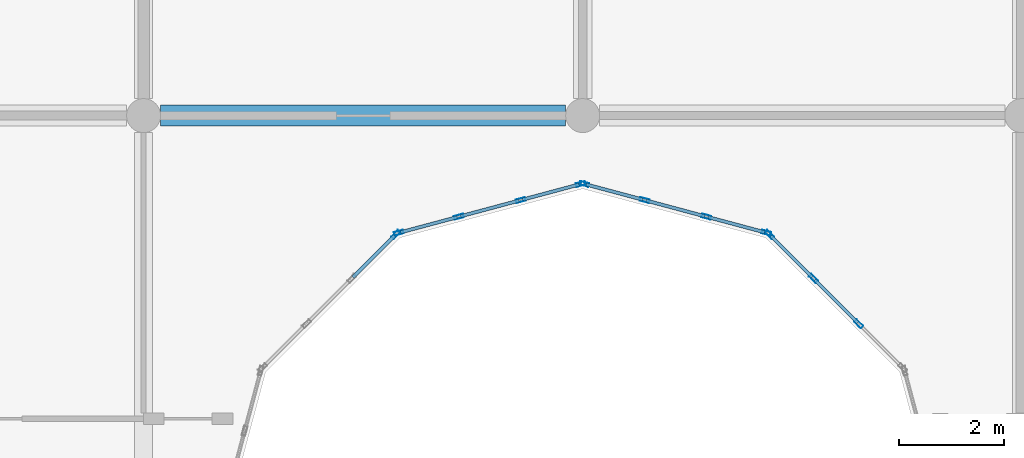
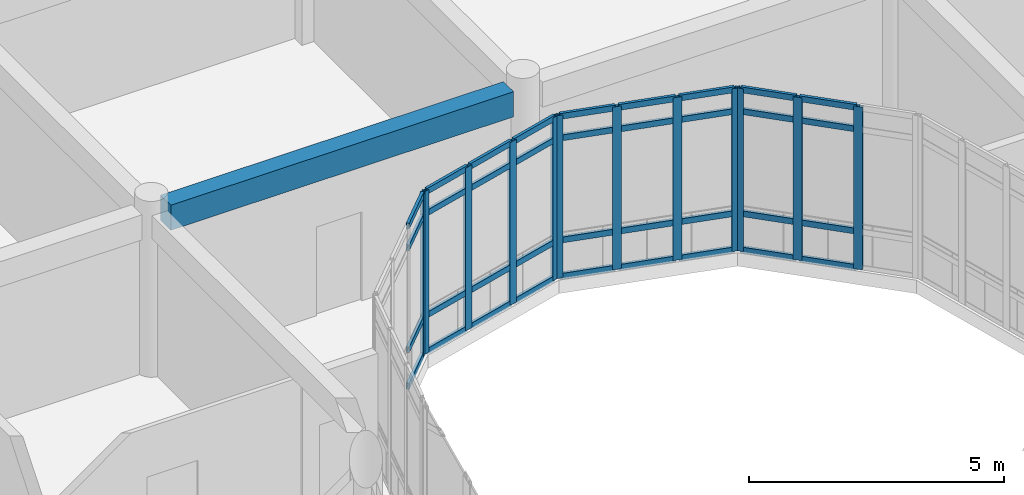
# One storey, part 35 of 119: 48 members, 1 beam, 4 elements without a shape of their own.
"""IFC4 building model written with IfcOpenShell, lengths in metres."""

from ifc_helpers import new_model, si_unit, direction, frame, origin, origin_2d, place, context, subcontext, project, spatial, rectangle, hollow_rectangle, extrude, material, layer, layer_set, material_profile, profile_set, type_object, element, aggregate, save


model = new_model("IFC4")

# Units and contexts
model_context = context("Model", 3, precision=1e-05, world=origin(), true_north=direction((0.0, 1.0)))
body_context = subcontext(model_context, "Body", "Model", "MODEL_VIEW")
ifc_project = project(units=[si_unit("LENGTHUNIT", "METRE"), si_unit("AREAUNIT", "SQUARE_METRE"), si_unit("VOLUMEUNIT", "CUBIC_METRE"), si_unit("PLANEANGLEUNIT", "RADIAN"), si_unit("MASSUNIT", "GRAM", prefix="KILO")], contexts=[model_context])

# Site, building, storey
site_placement = place(None, origin())
site = spatial("IfcSite", under=ifc_project, at=site_placement, CompositionType="ELEMENT")
building_placement = place(site_placement, origin())
building = spatial("IfcBuilding", under=site, at=building_placement, Name="Bramfleet General Hospital", CompositionType="ELEMENT")
storey_placement = place(building_placement, frame((0.0, 0.0, 14.39990234375)))
storey = spatial("IfcBuildingStorey", under=building, at=storey_placement, Name="L03", CompositionType="ELEMENT", Elevation=14.39990234375)

# Beam
ifc_material_1 = material(Name="Concrete C35/45", Category="concrete")
ifc_material_profile_1 = material_profile(ifc_material_1, rectangle(XDim=0.39990234375, YDim=0.60009765625, at=origin_2d()), Name="RC BM 600x400")
ifc_profile_set_1 = profile_set([ifc_material_profile_1], Name="Concrete C35/45")
beam_type = type_object("IfcBeamType", Name="BM-RC600", PredefinedType="BEAM", material=ifc_profile_set_1)
beam_placement = place(storey_placement, frame((75.925048828125, 84.0, 3.590087890625), z_axis=(1.0, 0.0, 0.0), x_axis=(0.0, 1.0, 0.0)))
element("IfcBeam", 1, at=beam_placement, inside=storey, type_object=beam_type, Name="L03 Grid Beam X 09-10", PredefinedType="BEAM", context=body_context, shape_type="SweptSolid", body=[
    extrude(rectangle(XDim=0.39990234375, YDim=0.60009765625, at=origin_2d()), origin(), (0.0, 0.0, 1.0), 7.75),
])

# Curtain wall, members
ifc_material_2 = material(Name="Anodised aluminium and low-E triple glazing", Category="aluminium")
ifc_layer_1 = layer(ifc_material_2, 0.179931640625, Name="CWT-CW-12")
ifc_layer_set_1 = layer_set([ifc_layer_1], Name="Anodised aluminium and low-E triple glazing")
curtain_wall_type_1 = type_object("IfcCurtainWallType", Name="CWT-CW-12", PredefinedType="USERDEFINED", material=ifc_layer_set_1)
curtain_wall_1_placement = place(storey_placement, origin())
curtain_wall_1 = element("IfcCurtainWall", 2, at=curtain_wall_1_placement, inside=storey, type_object=curtain_wall_type_1, Name="L03 Central Diagnostic Light Court Curtain Wall 8.1", ObjectType="Stick curtain wall", PredefinedType="USERDEFINED")
ifc_material_3 = material(Name="Anodised aluminium EN AW-6060", Category="aluminium")
ifc_material_profile_2 = material_profile(ifc_material_3, hollow_rectangle(XDim=0.070068359375, YDim=0.179931640625, WallThickness=0.00390625, at=origin_2d()), Name="ALU 180x70x4.0")
ifc_profile_set_2 = profile_set([ifc_material_profile_2], Name="Anodised aluminium EN AW-6060")
member_type_1 = type_object("IfcMemberType", Name="CWM-ALU180", PredefinedType="MULLION", material=ifc_profile_set_2)
member_1_placement = place(storey_placement, frame((89.28271484375, 80.016357421875, 0.0), z_axis=(0.0, 0.0, 1.0), x_axis=(-0.707106781187, -0.707106781187, 0.0)))
member_1 = element("IfcMember", 3, at=member_1_placement, type_object=member_type_1, Name="CW-12 mullion 2", PredefinedType="MULLION", context=body_context, shape_type="SweptSolid", body=[
    extrude(hollow_rectangle(XDim=0.070068359375, YDim=0.179931640625, WallThickness=0.00390625, at=origin_2d()), origin(), (0.0, 0.0, 1.0), 3.89013671875),
])
member_2_placement = place(storey_placement, frame((88.416259765625, 80.882568359375, 0.0), z_axis=(0.0, 0.0, 1.0), x_axis=(-0.707106781187, -0.707106781187, 0.0)))
member_2 = element("IfcMember", 4, at=member_2_placement, type_object=member_type_1, Name="CW-12 mullion 3", PredefinedType="MULLION", context=body_context, shape_type="SweptSolid", body=[
    extrude(hollow_rectangle(XDim=0.070068359375, YDim=0.179931640625, WallThickness=0.00390625, at=origin_2d()), origin(), (0.0, 0.0, 1.0), 3.89013671875),
])
member_3_placement = place(storey_placement, frame((87.57470703125, 81.724365234375, 0.0), z_axis=(0.0, 0.0, 1.0), x_axis=(-0.707106781187, -0.707106781187, 0.0)))
member_3 = element("IfcMember", 5, at=member_3_placement, type_object=member_type_1, Name="CW-12 mullion 4", PredefinedType="MULLION", context=body_context, shape_type="SweptSolid", body=[
    extrude(hollow_rectangle(XDim=0.070068359375, YDim=0.179931640625, WallThickness=0.00390625, at=origin_2d()), origin(), (0.0, 0.0, 1.0), 3.89013671875),
])

ifc_layer_2 = layer(ifc_material_2, 0.179931640625, Name="CWT-CW-13")
ifc_layer_set_2 = layer_set([ifc_layer_2], Name="Anodised aluminium and low-E triple glazing")
curtain_wall_type_2 = type_object("IfcCurtainWallType", Name="CWT-CW-13", PredefinedType="USERDEFINED", material=ifc_layer_set_2)
curtain_wall_2_placement = place(storey_placement, origin())
curtain_wall_2 = element("IfcCurtainWall", 6, at=curtain_wall_2_placement, inside=storey, type_object=curtain_wall_type_2, Name="L03 Central Diagnostic Light Court Curtain Wall 9.1", ObjectType="Stick curtain wall", PredefinedType="USERDEFINED")
member_4_placement = place(storey_placement, frame((87.51611328125, 81.758056640625, 0.0), z_axis=(0.0, 0.0, 1.0), x_axis=(-0.258763286618, -0.965940765005, 0.0)))
member_4 = element("IfcMember", 7, at=member_4_placement, type_object=member_type_1, Name="CW-13 mullion 1", PredefinedType="MULLION", context=body_context, shape_type="SweptSolid", body=[
    extrude(hollow_rectangle(XDim=0.070068359375, YDim=0.179931640625, WallThickness=0.00390625, at=origin_2d()), origin(), (0.0, 0.0, 1.0), 3.89013671875),
])
member_5_placement = place(storey_placement, frame((86.36669921875, 82.06591796875, 0.0), z_axis=(0.0, 0.0, 1.0), x_axis=(-0.258763286618, -0.965940765005, 0.0)))
member_5 = element("IfcMember", 8, at=member_5_placement, type_object=member_type_1, Name="CW-13 mullion 2", PredefinedType="MULLION", context=body_context, shape_type="SweptSolid", body=[
    extrude(hollow_rectangle(XDim=0.070068359375, YDim=0.179931640625, WallThickness=0.00390625, at=origin_2d()), origin(), (0.0, 0.0, 1.0), 3.89013671875),
])
member_6_placement = place(storey_placement, frame((85.183349609375, 82.383056640625, 0.0), z_axis=(0.0, 0.0, 1.0), x_axis=(-0.258763286618, -0.965940765005, 0.0)))
member_6 = element("IfcMember", 9, at=member_6_placement, type_object=member_type_1, Name="CW-13 mullion 3", PredefinedType="MULLION", context=body_context, shape_type="SweptSolid", body=[
    extrude(hollow_rectangle(XDim=0.070068359375, YDim=0.179931640625, WallThickness=0.00390625, at=origin_2d()), origin(), (0.0, 0.0, 1.0), 3.89013671875),
])
member_7_placement = place(storey_placement, frame((84.03369140625, 82.69091796875, 0.0), z_axis=(0.0, 0.0, 1.0), x_axis=(-0.258763286618, -0.965940765005, 0.0)))
member_7 = element("IfcMember", 10, at=member_7_placement, type_object=member_type_1, Name="CW-13 mullion 4", PredefinedType="MULLION", context=body_context, shape_type="SweptSolid", body=[
    extrude(hollow_rectangle(XDim=0.070068359375, YDim=0.179931640625, WallThickness=0.00390625, at=origin_2d()), origin(), (0.0, 0.0, 1.0), 3.89013671875),
])

ifc_layer_3 = layer(ifc_material_2, 0.179931640625, Name="CWT-CW-14")
ifc_layer_set_3 = layer_set([ifc_layer_3], Name="Anodised aluminium and low-E triple glazing")
curtain_wall_type_3 = type_object("IfcCurtainWallType", Name="CWT-CW-14", PredefinedType="USERDEFINED", material=ifc_layer_set_3)
curtain_wall_3_placement = place(storey_placement, origin())
curtain_wall_3 = element("IfcCurtainWall", 11, at=curtain_wall_3_placement, inside=storey, type_object=curtain_wall_type_3, Name="L03 Central Diagnostic Light Court Curtain Wall 10.1", ObjectType="Stick curtain wall", PredefinedType="USERDEFINED")
member_8_placement = place(storey_placement, frame((83.96630859375, 82.69091796875, 0.0), z_axis=(0.0, 0.0, 1.0), x_axis=(0.258763286618, -0.965940765005, 0.0)))
member_8 = element("IfcMember", 12, at=member_8_placement, type_object=member_type_1, Name="CW-14 mullion 1", PredefinedType="MULLION", context=body_context, shape_type="SweptSolid", body=[
    extrude(hollow_rectangle(XDim=0.070068359375, YDim=0.179931640625, WallThickness=0.00390625, at=origin_2d()), origin(), (0.0, 0.0, 1.0), 3.89013671875),
])
member_9_placement = place(storey_placement, frame((82.816650390625, 82.383056640625, 0.0), z_axis=(0.0, 0.0, 1.0), x_axis=(0.258763286618, -0.965940765005, 0.0)))
member_9 = element("IfcMember", 13, at=member_9_placement, type_object=member_type_1, Name="CW-14 mullion 2", PredefinedType="MULLION", context=body_context, shape_type="SweptSolid", body=[
    extrude(hollow_rectangle(XDim=0.070068359375, YDim=0.179931640625, WallThickness=0.00390625, at=origin_2d()), origin(), (0.0, 0.0, 1.0), 3.89013671875),
])
member_10_placement = place(storey_placement, frame((81.63330078125, 82.06591796875, 0.0), z_axis=(0.0, 0.0, 1.0), x_axis=(0.258763286618, -0.965940765005, 0.0)))
member_10 = element("IfcMember", 14, at=member_10_placement, type_object=member_type_1, Name="CW-14 mullion 3", PredefinedType="MULLION", context=body_context, shape_type="SweptSolid", body=[
    extrude(hollow_rectangle(XDim=0.070068359375, YDim=0.179931640625, WallThickness=0.00390625, at=origin_2d()), origin(), (0.0, 0.0, 1.0), 3.89013671875),
])
member_11_placement = place(storey_placement, frame((80.48388671875, 81.758056640625, 0.0), z_axis=(0.0, 0.0, 1.0), x_axis=(0.258763286618, -0.965940765005, 0.0)))
member_11 = element("IfcMember", 15, at=member_11_placement, type_object=member_type_1, Name="CW-14 mullion 4", PredefinedType="MULLION", context=body_context, shape_type="SweptSolid", body=[
    extrude(hollow_rectangle(XDim=0.070068359375, YDim=0.179931640625, WallThickness=0.00390625, at=origin_2d()), origin(), (0.0, 0.0, 1.0), 3.89013671875),
])

# Curtain wall, member
ifc_layer_4 = layer(ifc_material_2, 0.179931640625, Name="CWT-CW-15")
ifc_layer_set_4 = layer_set([ifc_layer_4], Name="Anodised aluminium and low-E triple glazing")
curtain_wall_type_4 = type_object("IfcCurtainWallType", Name="CWT-CW-15", PredefinedType="USERDEFINED", material=ifc_layer_set_4)
curtain_wall_4_placement = place(storey_placement, origin())
curtain_wall_4 = element("IfcCurtainWall", 16, at=curtain_wall_4_placement, inside=storey, type_object=curtain_wall_type_4, Name="L03 Central Diagnostic Light Court Curtain Wall 11.1", ObjectType="Stick curtain wall", PredefinedType="USERDEFINED")
member_12_placement = place(storey_placement, frame((80.42529296875, 81.724365234375, 0.0), z_axis=(0.0, 0.0, 1.0), x_axis=(0.707106781187, -0.707106781187, 0.0)))
member_12 = element("IfcMember", 17, at=member_12_placement, type_object=member_type_1, Name="CW-15 mullion 1", PredefinedType="MULLION", context=body_context, shape_type="SweptSolid", body=[
    extrude(hollow_rectangle(XDim=0.070068359375, YDim=0.179931640625, WallThickness=0.00390625, at=origin_2d()), origin(), (0.0, 0.0, 1.0), 3.89013671875),
])

# Member
ifc_material_profile_3 = material_profile(ifc_material_3, hollow_rectangle(XDim=0.06494140625, YDim=0.139892578125, WallThickness=0.00390625, at=origin_2d()), Name="ALU 140x65x4.0")
ifc_profile_set_3 = profile_set([ifc_material_profile_3], Name="Anodised aluminium EN AW-6060")
member_type_2 = type_object("IfcMemberType", Name="CWT-ALU140", PredefinedType="USERDEFINED", material=ifc_profile_set_3)
member_13_placement = place(storey_placement, frame((89.2578125, 80.041015625, 0.03271484375), z_axis=(-0.707001093006, 0.707212453572, 0.0), x_axis=(-0.707212453572, -0.707001093006, 0.0)))
member_13 = element("IfcMember", 18, at=member_13_placement, type_object=member_type_2, Name="CW-12 transom 2.1", ObjectType="TRANSOM", PredefinedType="USERDEFINED", context=body_context, shape_type="SweptSolid", body=[
    extrude(hollow_rectangle(XDim=0.06494140625, YDim=0.139892578125, WallThickness=0.00390625, at=origin_2d()), origin(), (0.0, 0.0, 1.0), 1.155029296875),
])

member_14_placement = place(storey_placement, frame((89.2578125, 80.041015625, 0.900146484375), z_axis=(-0.707001093006, 0.707212453572, 0.0), x_axis=(-0.707212453572, -0.707001093006, 0.0)))
member_14 = element("IfcMember", 19, at=member_14_placement, type_object=member_type_2, Name="CW-12 transom 2.2", ObjectType="TRANSOM", PredefinedType="USERDEFINED", context=body_context, shape_type="SweptSolid", body=[
    extrude(hollow_rectangle(XDim=0.06494140625, YDim=0.139892578125, WallThickness=0.00390625, at=origin_2d()), origin(), (0.0, 0.0, 1.0), 1.155029296875),
])

member_15_placement = place(storey_placement, frame((89.2578125, 80.041015625, 3.340087890625), z_axis=(-0.707001093006, 0.707212453572, 0.0), x_axis=(-0.707212453572, -0.707001093006, 0.0)))
member_15 = element("IfcMember", 20, at=member_15_placement, type_object=member_type_2, Name="CW-12 transom 2.3", ObjectType="TRANSOM", PredefinedType="USERDEFINED", context=body_context, shape_type="SweptSolid", body=[
    extrude(hollow_rectangle(XDim=0.06494140625, YDim=0.139892578125, WallThickness=0.00390625, at=origin_2d()), origin(), (0.0, 0.0, 1.0), 1.155029296875),
])

member_16_placement = place(storey_placement, frame((89.2578125, 80.041015625, 3.857666015625), z_axis=(-0.707001093006, 0.707212453572, 0.0), x_axis=(-0.707212453572, -0.707001093006, 0.0)))
member_16 = element("IfcMember", 21, at=member_16_placement, type_object=member_type_2, Name="CW-12 transom 2.4", ObjectType="TRANSOM", PredefinedType="USERDEFINED", context=body_context, shape_type="SweptSolid", body=[
    extrude(hollow_rectangle(XDim=0.06494140625, YDim=0.139892578125, WallThickness=0.00390625, at=origin_2d()), origin(), (0.0, 0.0, 1.0), 1.155029296875),
])

member_17_placement = place(storey_placement, frame((88.3916015625, 80.907470703125, 0.03271484375), z_axis=(-0.707106781187, 0.707106781187, 0.0), x_axis=(-0.707106781187, -0.707106781187, 0.0)))
member_17 = element("IfcMember", 22, at=member_17_placement, type_object=member_type_2, Name="CW-12 transom 3.1", ObjectType="TRANSOM", PredefinedType="USERDEFINED", context=body_context, shape_type="SweptSolid", body=[
    extrude(hollow_rectangle(XDim=0.06494140625, YDim=0.139892578125, WallThickness=0.00390625, at=origin_2d()), origin(), (0.0, 0.0, 1.0), 1.1201171875),
])

member_18_placement = place(storey_placement, frame((88.3916015625, 80.907470703125, 0.900146484375), z_axis=(-0.707106781187, 0.707106781187, 0.0), x_axis=(-0.707106781187, -0.707106781187, 0.0)))
member_18 = element("IfcMember", 23, at=member_18_placement, type_object=member_type_2, Name="CW-12 transom 3.2", ObjectType="TRANSOM", PredefinedType="USERDEFINED", context=body_context, shape_type="SweptSolid", body=[
    extrude(hollow_rectangle(XDim=0.06494140625, YDim=0.139892578125, WallThickness=0.00390625, at=origin_2d()), origin(), (0.0, 0.0, 1.0), 1.1201171875),
])

member_19_placement = place(storey_placement, frame((88.3916015625, 80.907470703125, 3.340087890625), z_axis=(-0.707106781187, 0.707106781187, 0.0), x_axis=(-0.707106781187, -0.707106781187, 0.0)))
member_19 = element("IfcMember", 24, at=member_19_placement, type_object=member_type_2, Name="CW-12 transom 3.3", ObjectType="TRANSOM", PredefinedType="USERDEFINED", context=body_context, shape_type="SweptSolid", body=[
    extrude(hollow_rectangle(XDim=0.06494140625, YDim=0.139892578125, WallThickness=0.00390625, at=origin_2d()), origin(), (0.0, 0.0, 1.0), 1.1201171875),
])

member_20_placement = place(storey_placement, frame((88.3916015625, 80.907470703125, 3.857666015625), z_axis=(-0.707106781187, 0.707106781187, 0.0), x_axis=(-0.707106781187, -0.707106781187, 0.0)))
member_20 = element("IfcMember", 25, at=member_20_placement, type_object=member_type_2, Name="CW-12 transom 3.4", ObjectType="TRANSOM", PredefinedType="USERDEFINED", context=body_context, shape_type="SweptSolid", body=[
    extrude(hollow_rectangle(XDim=0.06494140625, YDim=0.139892578125, WallThickness=0.00390625, at=origin_2d()), origin(), (0.0, 0.0, 1.0), 1.1201171875),
])

aggregate(curtain_wall_1, [member_1, member_2, member_3, member_13, member_14, member_15, member_16, member_17, member_18, member_19, member_20])

member_21_placement = place(storey_placement, frame((87.482421875, 81.76708984375, 0.03271484375), z_axis=(-0.965955832691, 0.25870703371, 0.0), x_axis=(-0.25870703371, -0.965955832691, 0.0)))
member_21 = element("IfcMember", 26, at=member_21_placement, type_object=member_type_2, Name="CW-13 transom 1.1", ObjectType="TRANSOM", PredefinedType="USERDEFINED", context=body_context, shape_type="SweptSolid", body=[
    extrude(hollow_rectangle(XDim=0.06494140625, YDim=0.139892578125, WallThickness=0.00390625, at=origin_2d()), origin(), (0.0, 0.0, 1.0), 1.1201171875),
])

member_22_placement = place(storey_placement, frame((87.482421875, 81.76708984375, 0.900146484375), z_axis=(-0.965955832691, 0.25870703371, 0.0), x_axis=(-0.25870703371, -0.965955832691, 0.0)))
member_22 = element("IfcMember", 27, at=member_22_placement, type_object=member_type_2, Name="CW-13 transom 1.2", ObjectType="TRANSOM", PredefinedType="USERDEFINED", context=body_context, shape_type="SweptSolid", body=[
    extrude(hollow_rectangle(XDim=0.06494140625, YDim=0.139892578125, WallThickness=0.00390625, at=origin_2d()), origin(), (0.0, 0.0, 1.0), 1.1201171875),
])

member_23_placement = place(storey_placement, frame((87.482421875, 81.76708984375, 3.340087890625), z_axis=(-0.965955832691, 0.25870703371, 0.0), x_axis=(-0.25870703371, -0.965955832691, 0.0)))
member_23 = element("IfcMember", 28, at=member_23_placement, type_object=member_type_2, Name="CW-13 transom 1.3", ObjectType="TRANSOM", PredefinedType="USERDEFINED", context=body_context, shape_type="SweptSolid", body=[
    extrude(hollow_rectangle(XDim=0.06494140625, YDim=0.139892578125, WallThickness=0.00390625, at=origin_2d()), origin(), (0.0, 0.0, 1.0), 1.1201171875),
])

member_24_placement = place(storey_placement, frame((87.482421875, 81.76708984375, 3.857666015625), z_axis=(-0.965955832691, 0.25870703371, 0.0), x_axis=(-0.25870703371, -0.965955832691, 0.0)))
member_24 = element("IfcMember", 29, at=member_24_placement, type_object=member_type_2, Name="CW-13 transom 1.4", ObjectType="TRANSOM", PredefinedType="USERDEFINED", context=body_context, shape_type="SweptSolid", body=[
    extrude(hollow_rectangle(XDim=0.06494140625, YDim=0.139892578125, WallThickness=0.00390625, at=origin_2d()), origin(), (0.0, 0.0, 1.0), 1.1201171875),
])

member_25_placement = place(storey_placement, frame((86.332763671875, 82.074951171875, 0.03271484375), z_axis=(-0.96590087162, 0.258912159242, 0.0), x_axis=(-0.258912159242, -0.96590087162, 0.0)))
member_25 = element("IfcMember", 30, at=member_25_placement, type_object=member_type_2, Name="CW-13 transom 2.1", ObjectType="TRANSOM", PredefinedType="USERDEFINED", context=body_context, shape_type="SweptSolid", body=[
    extrude(hollow_rectangle(XDim=0.06494140625, YDim=0.139892578125, WallThickness=0.00390625, at=origin_2d()), origin(), (0.0, 0.0, 1.0), 1.155029296875),
])

member_26_placement = place(storey_placement, frame((86.332763671875, 82.074951171875, 0.900146484375), z_axis=(-0.96590087162, 0.258912159242, 0.0), x_axis=(-0.258912159242, -0.96590087162, 0.0)))
member_26 = element("IfcMember", 31, at=member_26_placement, type_object=member_type_2, Name="CW-13 transom 2.2", ObjectType="TRANSOM", PredefinedType="USERDEFINED", context=body_context, shape_type="SweptSolid", body=[
    extrude(hollow_rectangle(XDim=0.06494140625, YDim=0.139892578125, WallThickness=0.00390625, at=origin_2d()), origin(), (0.0, 0.0, 1.0), 1.155029296875),
])

member_27_placement = place(storey_placement, frame((86.332763671875, 82.074951171875, 3.340087890625), z_axis=(-0.96590087162, 0.258912159242, 0.0), x_axis=(-0.258912159242, -0.96590087162, 0.0)))
member_27 = element("IfcMember", 32, at=member_27_placement, type_object=member_type_2, Name="CW-13 transom 2.3", ObjectType="TRANSOM", PredefinedType="USERDEFINED", context=body_context, shape_type="SweptSolid", body=[
    extrude(hollow_rectangle(XDim=0.06494140625, YDim=0.139892578125, WallThickness=0.00390625, at=origin_2d()), origin(), (0.0, 0.0, 1.0), 1.155029296875),
])

member_28_placement = place(storey_placement, frame((86.332763671875, 82.074951171875, 3.857666015625), z_axis=(-0.96590087162, 0.258912159242, 0.0), x_axis=(-0.258912159242, -0.96590087162, 0.0)))
member_28 = element("IfcMember", 33, at=member_28_placement, type_object=member_type_2, Name="CW-13 transom 2.4", ObjectType="TRANSOM", PredefinedType="USERDEFINED", context=body_context, shape_type="SweptSolid", body=[
    extrude(hollow_rectangle(XDim=0.06494140625, YDim=0.139892578125, WallThickness=0.00390625, at=origin_2d()), origin(), (0.0, 0.0, 1.0), 1.155029296875),
])

member_29_placement = place(storey_placement, frame((85.1494140625, 82.39208984375, 0.03271484375), z_axis=(-0.965941240814, 0.258761510459, 0.0), x_axis=(-0.258761510459, -0.965941240814, 0.0)))
member_29 = element("IfcMember", 34, at=member_29_placement, type_object=member_type_2, Name="CW-13 transom 3.1", ObjectType="TRANSOM", PredefinedType="USERDEFINED", context=body_context, shape_type="SweptSolid", body=[
    extrude(hollow_rectangle(XDim=0.06494140625, YDim=0.139892578125, WallThickness=0.00390625, at=origin_2d()), origin(), (0.0, 0.0, 1.0), 1.119873046875),
])

member_30_placement = place(storey_placement, frame((85.1494140625, 82.39208984375, 0.900146484375), z_axis=(-0.965941240814, 0.258761510459, 0.0), x_axis=(-0.258761510459, -0.965941240814, 0.0)))
member_30 = element("IfcMember", 35, at=member_30_placement, type_object=member_type_2, Name="CW-13 transom 3.2", ObjectType="TRANSOM", PredefinedType="USERDEFINED", context=body_context, shape_type="SweptSolid", body=[
    extrude(hollow_rectangle(XDim=0.06494140625, YDim=0.139892578125, WallThickness=0.00390625, at=origin_2d()), origin(), (0.0, 0.0, 1.0), 1.119873046875),
])

member_31_placement = place(storey_placement, frame((85.1494140625, 82.39208984375, 3.340087890625), z_axis=(-0.965941240814, 0.258761510459, 0.0), x_axis=(-0.258761510459, -0.965941240814, 0.0)))
member_31 = element("IfcMember", 36, at=member_31_placement, type_object=member_type_2, Name="CW-13 transom 3.3", ObjectType="TRANSOM", PredefinedType="USERDEFINED", context=body_context, shape_type="SweptSolid", body=[
    extrude(hollow_rectangle(XDim=0.06494140625, YDim=0.139892578125, WallThickness=0.00390625, at=origin_2d()), origin(), (0.0, 0.0, 1.0), 1.119873046875),
])

member_32_placement = place(storey_placement, frame((85.1494140625, 82.39208984375, 3.857666015625), z_axis=(-0.965941240814, 0.258761510459, 0.0), x_axis=(-0.258761510459, -0.965941240814, 0.0)))
member_32 = element("IfcMember", 37, at=member_32_placement, type_object=member_type_2, Name="CW-13 transom 3.4", ObjectType="TRANSOM", PredefinedType="USERDEFINED", context=body_context, shape_type="SweptSolid", body=[
    extrude(hollow_rectangle(XDim=0.06494140625, YDim=0.139892578125, WallThickness=0.00390625, at=origin_2d()), origin(), (0.0, 0.0, 1.0), 1.119873046875),
])

aggregate(curtain_wall_2, [member_4, member_5, member_6, member_7, member_21, member_22, member_23, member_24, member_25, member_26, member_27, member_28, member_29, member_30, member_31, member_32])

member_33_placement = place(storey_placement, frame((83.932373046875, 82.681884765625, 0.03271484375), z_axis=(-0.965941240814, -0.258761510459, 0.0), x_axis=(0.258761510459, -0.965941240814, 0.0)))
member_33 = element("IfcMember", 38, at=member_33_placement, type_object=member_type_2, Name="CW-14 transom 1.1", ObjectType="TRANSOM", PredefinedType="USERDEFINED", context=body_context, shape_type="SweptSolid", body=[
    extrude(hollow_rectangle(XDim=0.06494140625, YDim=0.139892578125, WallThickness=0.00390625, at=origin_2d()), origin(), (0.0, 0.0, 1.0), 1.119873046875),
])

member_34_placement = place(storey_placement, frame((83.932373046875, 82.681884765625, 0.900146484375), z_axis=(-0.965941240814, -0.258761510459, 0.0), x_axis=(0.258761510459, -0.965941240814, 0.0)))
member_34 = element("IfcMember", 39, at=member_34_placement, type_object=member_type_2, Name="CW-14 transom 1.2", ObjectType="TRANSOM", PredefinedType="USERDEFINED", context=body_context, shape_type="SweptSolid", body=[
    extrude(hollow_rectangle(XDim=0.06494140625, YDim=0.139892578125, WallThickness=0.00390625, at=origin_2d()), origin(), (0.0, 0.0, 1.0), 1.119873046875),
])

member_35_placement = place(storey_placement, frame((83.932373046875, 82.681884765625, 3.340087890625), z_axis=(-0.965941240814, -0.258761510459, 0.0), x_axis=(0.258761510459, -0.965941240814, 0.0)))
member_35 = element("IfcMember", 40, at=member_35_placement, type_object=member_type_2, Name="CW-14 transom 1.3", ObjectType="TRANSOM", PredefinedType="USERDEFINED", context=body_context, shape_type="SweptSolid", body=[
    extrude(hollow_rectangle(XDim=0.06494140625, YDim=0.139892578125, WallThickness=0.00390625, at=origin_2d()), origin(), (0.0, 0.0, 1.0), 1.119873046875),
])

member_36_placement = place(storey_placement, frame((83.932373046875, 82.681884765625, 3.857666015625), z_axis=(-0.965941240814, -0.258761510459, 0.0), x_axis=(0.258761510459, -0.965941240814, 0.0)))
member_36 = element("IfcMember", 41, at=member_36_placement, type_object=member_type_2, Name="CW-14 transom 1.4", ObjectType="TRANSOM", PredefinedType="USERDEFINED", context=body_context, shape_type="SweptSolid", body=[
    extrude(hollow_rectangle(XDim=0.06494140625, YDim=0.139892578125, WallThickness=0.00390625, at=origin_2d()), origin(), (0.0, 0.0, 1.0), 1.119873046875),
])

member_37_placement = place(storey_placement, frame((82.782958984375, 82.3740234375, 0.03271484375), z_axis=(-0.96590087162, -0.258912159242, 0.0), x_axis=(0.258912159242, -0.96590087162, 0.0)))
member_37 = element("IfcMember", 42, at=member_37_placement, type_object=member_type_2, Name="CW-14 transom 2.1", ObjectType="TRANSOM", PredefinedType="USERDEFINED", context=body_context, shape_type="SweptSolid", body=[
    extrude(hollow_rectangle(XDim=0.06494140625, YDim=0.139892578125, WallThickness=0.00390625, at=origin_2d()), origin(), (0.0, 0.0, 1.0), 1.155029296875),
])

member_38_placement = place(storey_placement, frame((82.782958984375, 82.3740234375, 0.900146484375), z_axis=(-0.96590087162, -0.258912159242, 0.0), x_axis=(0.258912159242, -0.96590087162, 0.0)))
member_38 = element("IfcMember", 43, at=member_38_placement, type_object=member_type_2, Name="CW-14 transom 2.2", ObjectType="TRANSOM", PredefinedType="USERDEFINED", context=body_context, shape_type="SweptSolid", body=[
    extrude(hollow_rectangle(XDim=0.06494140625, YDim=0.139892578125, WallThickness=0.00390625, at=origin_2d()), origin(), (0.0, 0.0, 1.0), 1.155029296875),
])

member_39_placement = place(storey_placement, frame((82.782958984375, 82.3740234375, 3.340087890625), z_axis=(-0.96590087162, -0.258912159242, 0.0), x_axis=(0.258912159242, -0.96590087162, 0.0)))
member_39 = element("IfcMember", 44, at=member_39_placement, type_object=member_type_2, Name="CW-14 transom 2.3", ObjectType="TRANSOM", PredefinedType="USERDEFINED", context=body_context, shape_type="SweptSolid", body=[
    extrude(hollow_rectangle(XDim=0.06494140625, YDim=0.139892578125, WallThickness=0.00390625, at=origin_2d()), origin(), (0.0, 0.0, 1.0), 1.155029296875),
])

member_40_placement = place(storey_placement, frame((82.782958984375, 82.3740234375, 3.857666015625), z_axis=(-0.96590087162, -0.258912159242, 0.0), x_axis=(0.258912159242, -0.96590087162, 0.0)))
member_40 = element("IfcMember", 45, at=member_40_placement, type_object=member_type_2, Name="CW-14 transom 2.4", ObjectType="TRANSOM", PredefinedType="USERDEFINED", context=body_context, shape_type="SweptSolid", body=[
    extrude(hollow_rectangle(XDim=0.06494140625, YDim=0.139892578125, WallThickness=0.00390625, at=origin_2d()), origin(), (0.0, 0.0, 1.0), 1.155029296875),
])

member_41_placement = place(storey_placement, frame((81.599609375, 82.056884765625, 0.03271484375), z_axis=(-0.965955832691, -0.25870703371, 0.0), x_axis=(0.25870703371, -0.965955832691, 0.0)))
member_41 = element("IfcMember", 46, at=member_41_placement, type_object=member_type_2, Name="CW-14 transom 3.1", ObjectType="TRANSOM", PredefinedType="USERDEFINED", context=body_context, shape_type="SweptSolid", body=[
    extrude(hollow_rectangle(XDim=0.06494140625, YDim=0.139892578125, WallThickness=0.00390625, at=origin_2d()), origin(), (0.0, 0.0, 1.0), 1.1201171875),
])

member_42_placement = place(storey_placement, frame((81.599609375, 82.056884765625, 0.900146484375), z_axis=(-0.965955832691, -0.25870703371, 0.0), x_axis=(0.25870703371, -0.965955832691, 0.0)))
member_42 = element("IfcMember", 47, at=member_42_placement, type_object=member_type_2, Name="CW-14 transom 3.2", ObjectType="TRANSOM", PredefinedType="USERDEFINED", context=body_context, shape_type="SweptSolid", body=[
    extrude(hollow_rectangle(XDim=0.06494140625, YDim=0.139892578125, WallThickness=0.00390625, at=origin_2d()), origin(), (0.0, 0.0, 1.0), 1.1201171875),
])

member_43_placement = place(storey_placement, frame((81.599609375, 82.056884765625, 3.340087890625), z_axis=(-0.965955832691, -0.25870703371, 0.0), x_axis=(0.25870703371, -0.965955832691, 0.0)))
member_43 = element("IfcMember", 48, at=member_43_placement, type_object=member_type_2, Name="CW-14 transom 3.3", ObjectType="TRANSOM", PredefinedType="USERDEFINED", context=body_context, shape_type="SweptSolid", body=[
    extrude(hollow_rectangle(XDim=0.06494140625, YDim=0.139892578125, WallThickness=0.00390625, at=origin_2d()), origin(), (0.0, 0.0, 1.0), 1.1201171875),
])

member_44_placement = place(storey_placement, frame((81.599609375, 82.056884765625, 3.857666015625), z_axis=(-0.965955832691, -0.25870703371, 0.0), x_axis=(0.25870703371, -0.965955832691, 0.0)))
member_44 = element("IfcMember", 49, at=member_44_placement, type_object=member_type_2, Name="CW-14 transom 3.4", ObjectType="TRANSOM", PredefinedType="USERDEFINED", context=body_context, shape_type="SweptSolid", body=[
    extrude(hollow_rectangle(XDim=0.06494140625, YDim=0.139892578125, WallThickness=0.00390625, at=origin_2d()), origin(), (0.0, 0.0, 1.0), 1.1201171875),
])

aggregate(curtain_wall_3, [member_8, member_9, member_10, member_11, member_33, member_34, member_35, member_36, member_37, member_38, member_39, member_40, member_41, member_42, member_43, member_44])

member_45_placement = place(storey_placement, frame((80.400390625, 81.699462890625, 0.03271484375), z_axis=(-0.707106781187, -0.707106781187, 0.0), x_axis=(0.707106781187, -0.707106781187, 0.0)))
member_45 = element("IfcMember", 50, at=member_45_placement, type_object=member_type_2, Name="CW-15 transom 1.1", ObjectType="TRANSOM", PredefinedType="USERDEFINED", context=body_context, shape_type="SweptSolid", body=[
    extrude(hollow_rectangle(XDim=0.06494140625, YDim=0.139892578125, WallThickness=0.00390625, at=origin_2d()), origin(), (0.0, 0.0, 1.0), 1.1201171875),
])

member_46_placement = place(storey_placement, frame((80.400390625, 81.699462890625, 0.900146484375), z_axis=(-0.707106781187, -0.707106781187, 0.0), x_axis=(0.707106781187, -0.707106781187, 0.0)))
member_46 = element("IfcMember", 51, at=member_46_placement, type_object=member_type_2, Name="CW-15 transom 1.2", ObjectType="TRANSOM", PredefinedType="USERDEFINED", context=body_context, shape_type="SweptSolid", body=[
    extrude(hollow_rectangle(XDim=0.06494140625, YDim=0.139892578125, WallThickness=0.00390625, at=origin_2d()), origin(), (0.0, 0.0, 1.0), 1.1201171875),
])

member_47_placement = place(storey_placement, frame((80.400390625, 81.699462890625, 3.340087890625), z_axis=(-0.707106781187, -0.707106781187, 0.0), x_axis=(0.707106781187, -0.707106781187, 0.0)))
member_47 = element("IfcMember", 52, at=member_47_placement, type_object=member_type_2, Name="CW-15 transom 1.3", ObjectType="TRANSOM", PredefinedType="USERDEFINED", context=body_context, shape_type="SweptSolid", body=[
    extrude(hollow_rectangle(XDim=0.06494140625, YDim=0.139892578125, WallThickness=0.00390625, at=origin_2d()), origin(), (0.0, 0.0, 1.0), 1.1201171875),
])

member_48_placement = place(storey_placement, frame((80.400390625, 81.699462890625, 3.857666015625), z_axis=(-0.707106781187, -0.707106781187, 0.0), x_axis=(0.707106781187, -0.707106781187, 0.0)))
member_48 = element("IfcMember", 53, at=member_48_placement, type_object=member_type_2, Name="CW-15 transom 1.4", ObjectType="TRANSOM", PredefinedType="USERDEFINED", context=body_context, shape_type="SweptSolid", body=[
    extrude(hollow_rectangle(XDim=0.06494140625, YDim=0.139892578125, WallThickness=0.00390625, at=origin_2d()), origin(), (0.0, 0.0, 1.0), 1.1201171875),
])

aggregate(curtain_wall_4, [member_12, member_45, member_46, member_47, member_48])

save(model, "model.ifc")
